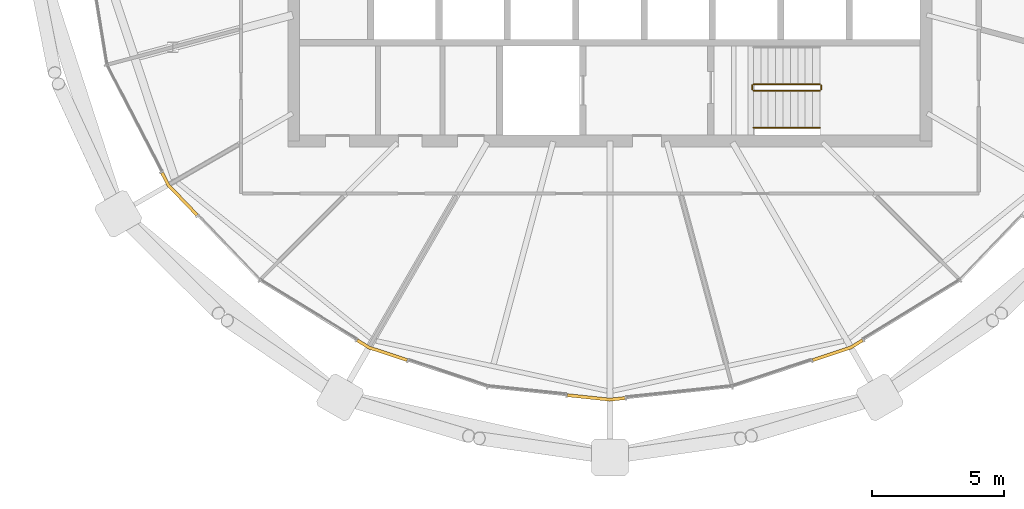
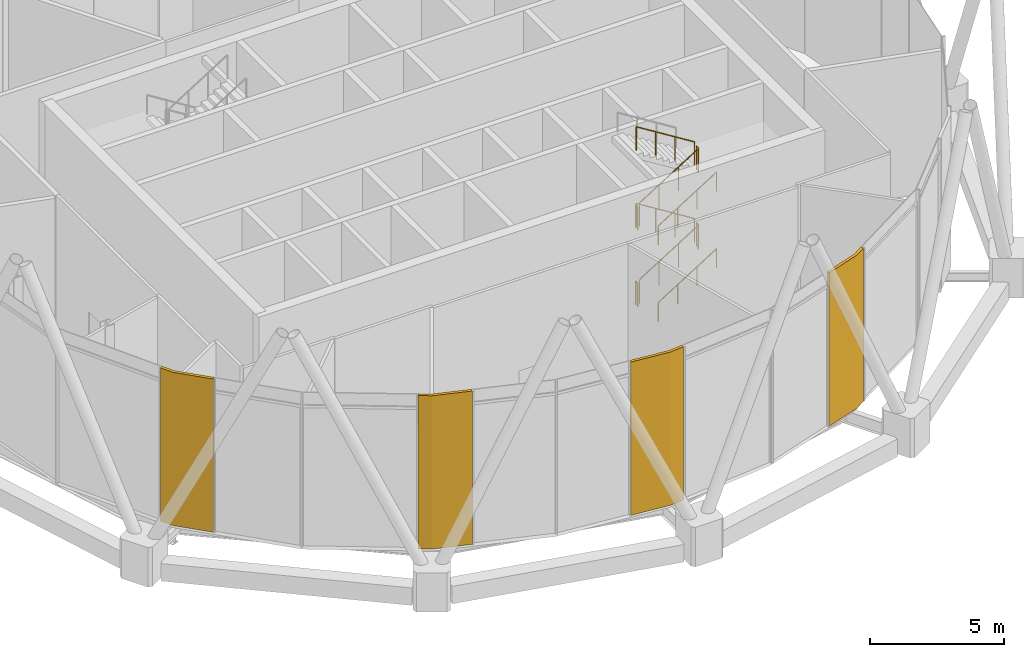
# One storey, part 24 of 28: 10 railings, 4 coverings.
"""IFC4 building model written with IfcOpenShell, lengths in metres."""

from ifc_helpers import new_model, si_unit, direction, frame, origin, origin_2d, place, context, subcontext, project, spatial, polyline, circle, outline, extrude, material, layer, layer_set, type_object, element, save


model = new_model("IFC4")

# Units and contexts
model_context = context("Model", 3, precision=1e-05, world=origin(), true_north=direction((0.0, 1.0)))
body_context = subcontext(model_context, "Body", "Model", "MODEL_VIEW")
ifc_project = project(units=[si_unit("LENGTHUNIT", "METRE"), si_unit("AREAUNIT", "SQUARE_METRE"), si_unit("VOLUMEUNIT", "CUBIC_METRE"), si_unit("PLANEANGLEUNIT", "RADIAN"), si_unit("MASSUNIT", "GRAM", prefix="KILO")], contexts=[model_context])

# Site, building, storey
site_placement = place(None, origin())
site = spatial("IfcSite", under=ifc_project, at=site_placement, CompositionType="ELEMENT")
building_placement = place(site_placement, origin())
building = spatial("IfcBuilding", under=site, at=building_placement, Name="Rimbun Link Towers", CompositionType="ELEMENT")
storey_placement = place(building_placement, frame((0.0, 0.0, 256.10009765625)))
storey = spatial("IfcBuildingStorey", under=building, at=storey_placement, Name="L63", CompositionType="ELEMENT", Elevation=256.10009765625)

# Coverings
ifc_material_1 = material(Name="Terracotta", Category="masonry")
ifc_layer = layer(ifc_material_1, 0.1201171875)
ifc_layer_set = layer_set([ifc_layer], Name="LINK PIER terracotta cladding 120")
covering_type = type_object("IfcCoveringType", Name="LINK PIER terracotta cladding 120", PredefinedType="CLADDING", material=ifc_layer_set)
covering_1_placement = place(storey_placement, origin())
element("IfcCovering", 1, at=covering_1_placement, inside=storey, type_object=covering_type, Name="LINK PIER cladding", PredefinedType="CLADDING", context=body_context, shape_type="SweptSolid", body=[
    extrude(outline(polyline([(-47.370849609375, -10.779296875), (-48.45751953125, -9.64599609375), (-48.6962890625, -9.18408203125), (-48.802978515625, -9.2392578125), (-48.555908203125, -9.716552734375), (-47.45751953125, -10.8623046875), (-47.370849609375, -10.779296875)])), origin(), (0.0, 0.0, 1.0), 7.0),
])
covering_2_placement = place(storey_placement, origin())
element("IfcCovering", 2, at=covering_2_placement, inside=storey, type_object=covering_type, Name="LINK PIER cladding", PredefinedType="CLADDING", context=body_context, shape_type="SweptSolid", body=[
    extrude(outline(polyline([(-39.42333984375, -16.26806640625), (-40.8662109375, -15.789794921875), (-41.309326171875, -15.517822265625), (-41.372314453125, -15.6201171875), (-40.917236328125, -15.8994140625), (-39.461181640625, -16.3818359375), (-39.42333984375, -16.26806640625)])), origin(), (0.0, 0.0, 1.0), 7.0),
])
covering_3_placement = place(storey_placement, origin())
element("IfcCovering", 3, at=covering_3_placement, inside=storey, type_object=covering_type, Name="LINK PIER cladding", PredefinedType="CLADDING", context=body_context, shape_type="SweptSolid", body=[
    extrude(outline(polyline([(-31.18310546875, -17.70458984375), (-31.75, -17.764404296875), (-33.361083984375, -17.5947265625), (-33.373779296875, -17.7138671875), (-31.75, -17.885009765625), (-31.170654296875, -17.823974609375), (-31.18310546875, -17.70458984375)])), origin(), (0.0, 0.0, 1.0), 7.0),
])
covering_4_placement = place(storey_placement, origin())
element("IfcCovering", 4, at=covering_4_placement, inside=storey, type_object=covering_type, Name="LINK PIER cladding", PredefinedType="CLADDING", context=body_context, shape_type="SweptSolid", body=[
    extrude(outline(polyline([(-22.190673828125, -15.517822265625), (-22.6337890625, -15.789794921875), (-24.07666015625, -16.26806640625), (-24.038818359375, -16.3818359375), (-22.582763671875, -15.8994140625), (-22.127685546875, -15.6201171875), (-22.190673828125, -15.517822265625)])), origin(), (0.0, 0.0, 1.0), 7.0),
])

# Railings
ifc_material_2 = material(Name="Stainless steel grade 316", Category="steel")
railing_type_1 = type_object("IfcRailingType", Name="Stair guard", PredefinedType="GUARDRAIL", material=ifc_material_2)
railing_1_placement = place(storey_placement, frame((-26.300048828125, -6.10009765625, 0.1748046875)))
element("IfcRailing", 5, at=railing_1_placement, inside=storey, type_object=railing_type_1, Name="L63 ST2 stair guard 1", PredefinedType="GUARDRAIL", context=body_context, shape_type="SweptSolid", body=[
    extrude(circle(Radius=0.02392578125, at=origin_2d()), frame((0.0, 0.0, 1.076171875), z_axis=(0.847970611238, 0.0, 0.530043245855), x_axis=(0.0, 1.0, 0.0)), (0.0, 0.0, 1.0), 2.971923828125),
    extrude(circle(Radius=0.02099609375, at=origin_2d()), origin(), (0.0, 0.0, 1.0), 1.052001953125),
    extrude(circle(Radius=0.02099609375, at=origin_2d()), frame((0.840087890625, 0.0, 0.525146484375)), (0.0, 0.0, 1.0), 1.052001953125),
    extrude(circle(Radius=0.02099609375, at=origin_2d()), frame((1.679931640625, 0.0, 1.050048828125)), (0.0, 0.0, 1.0), 1.052001953125),
    extrude(circle(Radius=0.02099609375, at=origin_2d()), frame((2.52001953125, 0.0, 1.5751953125)), (0.0, 0.0, 1.0), 1.052001953125),
])
railing_2_placement = place(storey_placement, frame((-23.72998046875, -6.050048828125, 1.75)))
element("IfcRailing", 6, at=railing_2_placement, inside=storey, type_object=railing_type_1, Name="L63 ST2 stair guard 2", PredefinedType="GUARDRAIL", context=body_context, shape_type="SweptSolid", body=[
    extrude(circle(Radius=0.02392578125, at=origin_2d()), frame((0.0, 0.0, 1.076171875), z_axis=(0.0, 1.0, 0.0), x_axis=(-1.0, 0.0, 0.0)), (0.0, 0.0, 1.0), 0.150146484375),
    extrude(circle(Radius=0.02099609375, at=origin_2d()), origin(), (0.0, 0.0, 1.0), 1.052001953125),
    extrude(circle(Radius=0.02099609375, at=origin_2d()), frame((0.0, 0.150146484375, 0.0)), (0.0, 0.0, 1.0), 1.052001953125),
])
railing_3_placement = place(storey_placement, frame((-23.780029296875, -5.85009765625, 1.9248046875)))
element("IfcRailing", 7, at=railing_3_placement, inside=storey, type_object=railing_type_1, Name="L63 ST2 stair guard 3", PredefinedType="GUARDRAIL", context=body_context, shape_type="SweptSolid", body=[
    extrude(circle(Radius=0.02392578125, at=origin_2d()), frame((0.0, 0.0, 1.076171875), z_axis=(-0.847970611238, 0.0, 0.530043245855), x_axis=(0.0, -1.0, 0.0)), (0.0, 0.0, 1.0), 2.971923828125),
    extrude(circle(Radius=0.02099609375, at=origin_2d()), origin(), (0.0, 0.0, 1.0), 1.052001953125),
    extrude(circle(Radius=0.02099609375, at=origin_2d()), frame((-0.840087890625, 0.0, 0.525146484375)), (0.0, 0.0, 1.0), 1.052001953125),
    extrude(circle(Radius=0.02099609375, at=origin_2d()), frame((-1.679931640625, 0.0, 1.050048828125)), (0.0, 0.0, 1.0), 1.052001953125),
    extrude(circle(Radius=0.02099609375, at=origin_2d()), frame((-2.52001953125, 0.0, 1.5751953125)), (0.0, 0.0, 1.0), 1.052001953125),
])
railing_4_placement = place(storey_placement, frame((-26.35009765625, -6.050048828125, 3.5)))
element("IfcRailing", 8, at=railing_4_placement, inside=storey, type_object=railing_type_1, Name="L63 ST2 stair guard 4", PredefinedType="GUARDRAIL", context=body_context, shape_type="SweptSolid", body=[
    extrude(circle(Radius=0.02392578125, at=origin_2d()), frame((0.0, 0.0, 1.076171875), z_axis=(0.0, 1.0, 0.0), x_axis=(-1.0, 0.0, 0.0)), (0.0, 0.0, 1.0), 0.150146484375),
    extrude(circle(Radius=0.02099609375, at=origin_2d()), origin(), (0.0, 0.0, 1.0), 1.052001953125),
    extrude(circle(Radius=0.02099609375, at=origin_2d()), frame((0.0, 0.150146484375, 0.0)), (0.0, 0.0, 1.0), 1.052001953125),
])
railing_5_placement = place(storey_placement, frame((-26.300048828125, -6.10009765625, 3.6748046875)))
element("IfcRailing", 9, at=railing_5_placement, inside=storey, type_object=railing_type_1, Name="L63 ST2 stair guard 5", PredefinedType="GUARDRAIL", context=body_context, shape_type="SweptSolid", body=[
    extrude(circle(Radius=0.02392578125, at=origin_2d()), frame((0.0, 0.0, 1.076171875), z_axis=(0.847970611238, 0.0, 0.530043245855), x_axis=(0.0, 1.0, 0.0)), (0.0, 0.0, 1.0), 2.971923828125),
    extrude(circle(Radius=0.02099609375, at=origin_2d()), origin(), (0.0, 0.0, 1.0), 1.052001953125),
    extrude(circle(Radius=0.02099609375, at=origin_2d()), frame((0.840087890625, 0.0, 0.525146484375)), (0.0, 0.0, 1.0), 1.052001953125),
    extrude(circle(Radius=0.02099609375, at=origin_2d()), frame((1.679931640625, 0.0, 1.050048828125)), (0.0, 0.0, 1.0), 1.052001953125),
    extrude(circle(Radius=0.02099609375, at=origin_2d()), frame((2.52001953125, 0.0, 1.5751953125)), (0.0, 0.0, 1.0), 1.052001953125),
])
railing_6_placement = place(storey_placement, frame((-23.72998046875, -6.050048828125, 5.25)))
element("IfcRailing", 10, at=railing_6_placement, inside=storey, type_object=railing_type_1, Name="L63 ST2 stair guard 6", PredefinedType="GUARDRAIL", context=body_context, shape_type="SweptSolid", body=[
    extrude(circle(Radius=0.02392578125, at=origin_2d()), frame((0.0, 0.0, 1.076171875), z_axis=(0.0, 1.0, 0.0), x_axis=(-1.0, 0.0, 0.0)), (0.0, 0.0, 1.0), 0.150146484375),
    extrude(circle(Radius=0.02099609375, at=origin_2d()), origin(), (0.0, 0.0, 1.0), 1.052001953125),
    extrude(circle(Radius=0.02099609375, at=origin_2d()), frame((0.0, 0.150146484375, 0.0)), (0.0, 0.0, 1.0), 1.052001953125),
])
railing_7_placement = place(storey_placement, frame((-23.780029296875, -5.85009765625, 5.4248046875)))
element("IfcRailing", 11, at=railing_7_placement, inside=storey, type_object=railing_type_1, Name="L63 ST2 stair guard 7", PredefinedType="GUARDRAIL", context=body_context, shape_type="SweptSolid", body=[
    extrude(circle(Radius=0.02392578125, at=origin_2d()), frame((0.0, 0.0, 1.076171875), z_axis=(-0.847970611238, 0.0, 0.530043245855), x_axis=(0.0, -1.0, 0.0)), (0.0, 0.0, 1.0), 2.971923828125),
    extrude(circle(Radius=0.02099609375, at=origin_2d()), origin(), (0.0, 0.0, 1.0), 1.052001953125),
    extrude(circle(Radius=0.02099609375, at=origin_2d()), frame((-0.840087890625, 0.0, 0.525146484375)), (0.0, 0.0, 1.0), 1.052001953125),
    extrude(circle(Radius=0.02099609375, at=origin_2d()), frame((-1.679931640625, 0.0, 1.050048828125)), (0.0, 0.0, 1.0), 1.052001953125),
    extrude(circle(Radius=0.02099609375, at=origin_2d()), frame((-2.52001953125, 0.0, 1.5751953125)), (0.0, 0.0, 1.0), 1.052001953125),
])
railing_8_placement = place(storey_placement, frame((-26.35009765625, -6.050048828125, 0.0)))
element("IfcRailing", 12, at=railing_8_placement, inside=storey, type_object=railing_type_1, Name="L63 ST2 stair guard 8", PredefinedType="GUARDRAIL", context=body_context, shape_type="SweptSolid", body=[
    extrude(circle(Radius=0.02392578125, at=origin_2d()), frame((0.0, 0.0, 1.076171875), z_axis=(0.0, 1.0, 0.0), x_axis=(-1.0, 0.0, 0.0)), (0.0, 0.0, 1.0), 0.150146484375),
    extrude(circle(Radius=0.02099609375, at=origin_2d()), origin(), (0.0, 0.0, 1.0), 1.052001953125),
    extrude(circle(Radius=0.02099609375, at=origin_2d()), frame((0.0, 0.150146484375, 0.0)), (0.0, 0.0, 1.0), 1.052001953125),
])
ifc_material_3 = material(Name="Stainless steel grade 316", Category="steel")
railing_type_2 = type_object("IfcRailingType", Name="Stair handrail", PredefinedType="HANDRAIL", material=ifc_material_3)
for number, where, name in (
    (13, (-26.300048828125, -7.5, 0.1748046875), "L63 ST2 stair handrail 1"),
    (14, (-26.300048828125, -7.5, 3.6748046875), "L63 ST2 stair handrail 3"),
):
    element("IfcRailing", number, at=place(storey_placement, frame(where)), inside=storey, type_object=railing_type_2, Name=name, PredefinedType="HANDRAIL", context=body_context, shape_type="SweptSolid", body=[
        extrude(circle(Radius=0.02392578125, at=origin_2d()), frame((0.0, 0.0, 0.8759765625), z_axis=(0.847970611238, 0.0, 0.530043245855), x_axis=(0.0, 1.0, 0.0)), (0.0, 0.0, 1.0), 2.971923828125),
        extrude(circle(Radius=0.02099609375, at=origin_2d()), origin(), (0.0, 0.0, 1.0), 0.851806640625),
        extrude(circle(Radius=0.02099609375, at=origin_2d()), frame((0.840087890625, 0.0, 0.525146484375)), (0.0, 0.0, 1.0), 0.851806640625),
        extrude(circle(Radius=0.02099609375, at=origin_2d()), frame((1.679931640625, 0.0, 1.050048828125)), (0.0, 0.0, 1.0), 0.851806640625),
        extrude(circle(Radius=0.02099609375, at=origin_2d()), frame((2.52001953125, 0.0, 1.5751953125)), (0.0, 0.0, 1.0), 0.851806640625),
    ])

save(model, "model.ifc")
